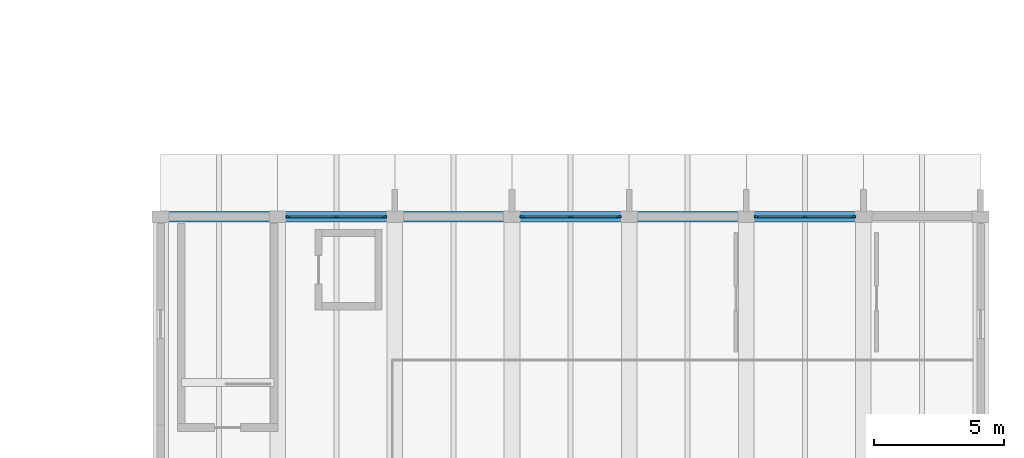
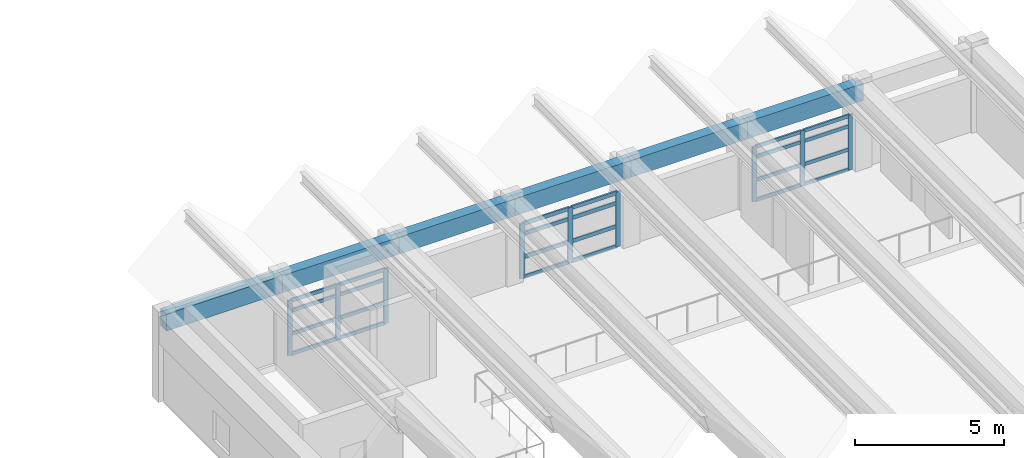
# One storey, part 15 of 83: 33 members, 6 beams, 3 elements without a shape of their own.
"""IFC4 building model written with IfcOpenShell, lengths in metres."""

import ifcopenshell
import ifcopenshell.guid

model = None  # the IFC model being written
_history = None  # IfcOwnerHistory: only IFC2X3 demands one
_inside = {}  # id of a spatial element -> (the spatial element, [elements in it])
_under = {}  # id of a project, library or spatial element -> (it, [spatial elements below it])
_declared = {}  # id of a project -> (the project, [libraries it declares])
_typed = {}  # id of a type object -> (the type object, [elements of that type])
_made_of = {}  # id of a material, layer set ... -> (it, [elements and type objects made of it])


def new_model(schema):
    """Start an empty IFC model of exactly this schema.

    Asked for "IFC4X3", IfcOpenShell would pick the latest addendum, in which some entities
    have other attributes; the version numbers below select the first issue.
    IFC2X3 requires an IfcOwnerHistory on every rooted entity: one is made here for all.
    """
    global model, _history
    if schema == "IFC4X3":
        model = ifcopenshell.file(schema_version=(4, 3, 0, 0))
    else:
        model = ifcopenshell.file(schema=schema)
    _inside.clear()
    _under.clear()
    _declared.clear()
    _typed.clear()
    _made_of.clear()
    _history = None
    if model.schema == "IFC2X3":
        org = make("IfcOrganization", Name="unknown")
        user = make(
            "IfcPersonAndOrganization",
            ThePerson=make("IfcPerson", FamilyName="unknown"),
            TheOrganization=org,
        )
        app = make(
            "IfcApplication",
            ApplicationDeveloper=org,
            Version="unknown",
            ApplicationFullName="unknown",
            ApplicationIdentifier="unknown",
        )
        _history = make(
            "IfcOwnerHistory",
            OwningUser=user,
            OwningApplication=app,
            ChangeAction="ADDED",
            CreationDate=0,
        )
    return model


def make(cls, **values):
    """One entity of the class cls with the attributes given. An attribute that is None is left unset."""
    return model.create_entity(
        cls, **{name: value for name, value in values.items() if value is not None}
    )


def rooted(cls, **values):
    """An entity with a GlobalId (a new one), such as an element, a storey or a relation."""
    return make(cls, GlobalId=ifcopenshell.guid.new(), OwnerHistory=_history, **values)


def si_unit(unit_type, name, prefix=None):
    """IfcSIUnit, for example si_unit("LENGTHUNIT", "METRE", prefix="MILLI")."""
    return make("IfcSIUnit", UnitType=unit_type, Prefix=prefix, Name=name)


def assignment(units):
    """IfcUnitAssignment: the units of a project."""
    return None if units is None else make("IfcUnitAssignment", Units=units)


def point(xyz):
    """IfcCartesianPoint."""
    return None if xyz is None else make("IfcCartesianPoint", Coordinates=xyz)


def direction(xyz):
    """IfcDirection."""
    return None if xyz is None else make("IfcDirection", DirectionRatios=xyz)


def frame(location, z_axis=None, x_axis=None):
    """IfcAxis2Placement3D, a coordinate frame: its origin and axes. An axis left out is left unset."""
    return make(
        "IfcAxis2Placement3D",
        Location=point(location),
        Axis=direction(z_axis),
        RefDirection=direction(x_axis),
    )


def frame_2d(location, x_axis=None):
    """IfcAxis2Placement2D, a coordinate frame in the plane: its origin and x axis."""
    return make(
        "IfcAxis2Placement2D", Location=point(location), RefDirection=direction(x_axis)
    )


def origin():
    """The frame at (0, 0, 0) with its axes left unset."""
    return frame((0.0, 0.0, 0.0))


def origin_2d():
    """The frame at (0, 0) in the plane with its x axis left unset."""
    return frame_2d((0.0, 0.0))


def place(relative_to, where):
    """IfcLocalPlacement: puts the frame where relative to a parent placement (None: the world)."""
    return make(
        "IfcLocalPlacement", PlacementRelTo=relative_to, RelativePlacement=where
    )


def context(
    kind, dimensions, precision=None, world=None, true_north=None, identifier=None
):
    """IfcGeometricRepresentationContext, for example the 3D "Model" context."""
    return make(
        "IfcGeometricRepresentationContext",
        ContextIdentifier=identifier,
        ContextType=kind,
        CoordinateSpaceDimension=dimensions,
        Precision=precision,
        WorldCoordinateSystem=world,
        TrueNorth=true_north,
    )


def subcontext(parent, identifier, kind, view, scale=None):
    """IfcGeometricRepresentationSubContext, for example "Body" below "Model"."""
    return make(
        "IfcGeometricRepresentationSubContext",
        ContextIdentifier=identifier,
        ContextType=kind,
        ParentContext=parent,
        TargetScale=scale,
        TargetView=view,
    )


def project(units=None, contexts=None):
    """IfcProject with its units and contexts."""
    return rooted(
        "IfcProject",
        Name="project",
        RepresentationContexts=contexts,
        UnitsInContext=assignment(units),
    )


def spatial(cls, under=None, at=None, **own):
    """A site, building, storey or space (cls), placed at a placement, below another one or the project."""
    s = rooted(cls, ObjectPlacement=at, **own)
    if under is not None:
        _under.setdefault(under.id(), (under, []))[1].append(s)
    return s


def profile(cls, at=None, kind="AREA", **sizes):
    """A parametric profile (cls). Its sizes go by their IFC names, for example OverallWidth=200.0."""
    return make(cls, ProfileType=kind, Position=at, **sizes)


def rectangle(**sizes):
    """IfcRectangleProfileDef."""
    return profile("IfcRectangleProfileDef", **sizes)


def extrude(swept, where, along, depth):
    """IfcExtrudedAreaSolid: the profile swept, set in the frame where, extruded along a direction by depth."""
    return make(
        "IfcExtrudedAreaSolid",
        SweptArea=swept,
        Position=where,
        ExtrudedDirection=direction(along),
        Depth=depth,
    )


def shape(context_of_items, identifier, shape_type, items):
    """IfcShapeRepresentation: the items that make up one representation, for example the "Body"."""
    return make(
        "IfcShapeRepresentation",
        ContextOfItems=context_of_items,
        RepresentationIdentifier=identifier,
        RepresentationType=shape_type,
        Items=items,
    )


def material(Name=None, Category=None):
    """IfcMaterial."""
    return make("IfcMaterial", Name=Name, Category=Category)


def material_profile(
    of_material, cross_section, Name=None, Category=None, Priority=None
):
    """IfcMaterialProfile: a cross section and its material."""
    return make(
        "IfcMaterialProfile",
        Name=Name,
        Material=of_material,
        Profile=cross_section,
        Priority=Priority,
        Category=Category,
    )


def profile_set(profiles, Name=None, composite=None):
    """IfcMaterialProfileSet."""
    return make(
        "IfcMaterialProfileSet",
        Name=Name,
        MaterialProfiles=profiles,
        CompositeProfile=composite,
    )


def made_of(thing, what):
    """Note that an element or type object is made of a material, layer set ...; save() writes the relation."""
    if what is not None:
        _made_of.setdefault(what.id(), (what, []))[1].append(thing)
    return thing


def type_object(cls, material=None, **own):
    """A type object (cls), such as IfcWallType, which elements share."""
    return made_of(rooted(cls, **own), material)


def element(
    cls,
    number,
    at=None,
    inside=None,
    cuts=None,
    type_object=None,
    material=None,
    context=None,
    identifier="Body",
    shape_type=None,
    held_by="IfcProductDefinitionShape",
    body=None,
    shapes=None,
    **own,
):
    """One element of the class cls, such as IfcWall. Its Tag is "e" and its number.

    at: its placement. inside: the storey or other place that contains it. cuts: it is an
    opening in that element (IfcRelVoidsElement). A single representation is given by context,
    identifier, shape_type and body (its items); several are given by shapes. held_by: the class
    of the entity that holds the representations. save() writes the other relations.
    """
    e = rooted(cls, Tag="e%d" % number, ObjectPlacement=at, **own)
    if body is not None:
        shapes = [shape(context, identifier, shape_type, body)]
    if shapes is not None:
        e.Representation = make(held_by, Representations=shapes)
    if inside is not None:
        _inside.setdefault(inside.id(), (inside, []))[1].append(e)
    if cuts is not None:
        rooted(
            "IfcRelVoidsElement", RelatingBuildingElement=cuts, RelatedOpeningElement=e
        )
    if type_object is not None:
        _typed.setdefault(type_object.id(), (type_object, []))[1].append(e)
    return made_of(e, material)


def aggregate(whole, parts):
    """IfcRelAggregates: a whole, such as a stair, and the parts it consists of."""
    return rooted("IfcRelAggregates", RelatingObject=whole, RelatedObjects=parts)


def save(model, path):
    """Write the relations noted so far, then the file.

    IfcRelAggregates (storeys below a building ...), IfcRelContainedInSpatialStructure (elements
    in a storey), IfcRelDefinesByType, IfcRelAssociatesMaterial and IfcRelDeclares: one each for
    every whole, place, type object, material and project.
    """
    for whole, parts in _under.values():
        aggregate(whole, parts)
    for where, things in _inside.values():
        rooted(
            "IfcRelContainedInSpatialStructure",
            RelatedElements=things,
            RelatingStructure=where,
        )
    for kind, things in _typed.values():
        rooted("IfcRelDefinesByType", RelatedObjects=things, RelatingType=kind)
    for what, things in _made_of.values():
        rooted("IfcRelAssociatesMaterial", RelatedObjects=things, RelatingMaterial=what)
    for by, libraries in _declared.values():
        rooted("IfcRelDeclares", RelatingContext=by, RelatedDefinitions=libraries)
    model.write(path)


model = new_model("IFC4")

# Units and contexts
model_context = context("Model", 3, precision=1e-05, world=origin(), true_north=direction((0.0, 1.0)))
body_context = subcontext(model_context, "Body", "Model", "MODEL_VIEW")
ifc_project = project(units=[si_unit("LENGTHUNIT", "METRE"), si_unit("AREAUNIT", "SQUARE_METRE"), si_unit("VOLUMEUNIT", "CUBIC_METRE"), si_unit("PLANEANGLEUNIT", "RADIAN"), si_unit("MASSUNIT", "GRAM", prefix="KILO")], contexts=[model_context])

# Site, building, storey
site_placement = place(None, origin())
site = spatial("IfcSite", under=ifc_project, at=site_placement, CompositionType="ELEMENT")
building_placement = place(site_placement, origin())
building = spatial("IfcBuilding", under=site, at=building_placement, Name="Zimvara Arc Housing Community", CompositionType="ELEMENT")
storey_placement = place(building_placement, frame((0.0, 0.0, 4.5)))
storey = spatial("IfcBuildingStorey", under=building, at=storey_placement, Name="L01", CompositionType="ELEMENT", Elevation=4.5)

# Beams
ifc_material_1 = material(Name="Concrete C40/50", Category="concrete")
ifc_material_profile_1 = material_profile(ifc_material_1, rectangle(XDim=0.39990234375, YDim=0.699951171875, at=origin_2d()), Name="RC 400x700")
ifc_profile_set_1 = profile_set([ifc_material_profile_1], Name="Concrete C40/50")
beam_type = type_object("IfcBeamType", Name="BM-RC-400x700", PredefinedType="BEAM", material=ifc_profile_set_1)
for number, where, z_axis, x_axis, name in (
    (1, (68.0, 27.60009765625, 3.14990234375), (1.0, 0.0, 0.0), (0.0, 1.0, 0.0), "bm:hall:L01:eave:y1:b0"),
    (2, (72.5, 27.60009765625, 3.14990234375), (1.0, 0.0, 0.0), (0.0, 1.0, 0.0), "bm:hall:L01:eave:y1:b1"),
    (3, (77.0, 27.60009765625, 3.14990234375), (1.0, 0.0, 0.0), (0.0, 1.0, 0.0), "bm:hall:L01:eave:y1:b2"),
    (4, (81.5, 27.60009765625, 3.14990234375), (1.0, 0.0, 0.0), (0.0, 1.0, 0.0), "bm:hall:L01:eave:y1:b3"),
    (5, (86.0, 27.60009765625, 3.14990234375), (1.0, 0.0, 0.0), (0.0, 1.0, 0.0), "bm:hall:L01:eave:y1:b4"),
    (6, (90.5, 27.60009765625, 3.14990234375), (1.0, 0.0, 0.0), (0.0, 1.0, 0.0), "bm:hall:L01:eave:y1:b5"),
):
    element("IfcBeam", number, at=place(storey_placement, frame(where, z_axis=z_axis, x_axis=x_axis)), inside=storey, type_object=beam_type, Name=name, PredefinedType="BEAM", context=body_context, shape_type="SweptSolid", body=[
        extrude(rectangle(XDim=0.39990234375, YDim=0.699951171875, at=origin_2d()), origin(), (0.0, 0.0, 1.0), 4.5),
    ])

# Curtain wall, members
ifc_material_2 = material(Name="Anodised Aluminium AW-6063", Category="aluminium")
curtain_wall_type_1 = type_object("IfcCurtainWallType", Name="CW-SYS-06", PredefinedType="USERDEFINED", material=ifc_material_2)
curtain_wall_1_placement = place(storey_placement, origin())
curtain_wall_1 = element("IfcCurtainWall", 7, at=curtain_wall_1_placement, inside=storey, type_object=curtain_wall_type_1, Name="cw:hall:L01:north:b1", ObjectType="CURTAIN WALL", PredefinedType="USERDEFINED")
ifc_material_3 = material(Name="Anodised Aluminium AW-6063", Category="aluminium")
ifc_material_profile_2 = material_profile(ifc_material_3, rectangle(XDim=0.06494140625, YDim=0.179931640625, at=origin_2d()), Name="ALU 65x180")
ifc_profile_set_2 = profile_set([ifc_material_profile_2], Name="Anodised Aluminium AW-6063")
member_type_1 = type_object("IfcMemberType", Name="CWM-65x150", PredefinedType="MULLION", material=ifc_profile_set_2)
member_1_placement = place(storey_placement, frame((72.892578125, 27.60009765625, 0.0), z_axis=(0.0, 0.0, 1.0), x_axis=(0.0, 1.0, 0.0)))
member_1 = element("IfcMember", 8, at=member_1_placement, type_object=member_type_1, Name="CW06 mullion 1", PredefinedType="MULLION", context=body_context, shape_type="SweptSolid", body=[
    extrude(rectangle(XDim=0.06494140625, YDim=0.179931640625, at=origin_2d()), origin(), (0.0, 0.0, 1.0), 2.25),
])
member_2_placement = place(storey_placement, frame((74.75, 27.60009765625, 0.0), z_axis=(0.0, 0.0, 1.0), x_axis=(0.0, 1.0, 0.0)))
member_2 = element("IfcMember", 9, at=member_2_placement, type_object=member_type_1, Name="CW06 mullion 2", PredefinedType="MULLION", context=body_context, shape_type="SweptSolid", body=[
    extrude(rectangle(XDim=0.06494140625, YDim=0.179931640625, at=origin_2d()), origin(), (0.0, 0.0, 1.0), 2.25),
])
member_3_placement = place(storey_placement, frame((76.607421875, 27.60009765625, 0.0), z_axis=(0.0, 0.0, 1.0), x_axis=(0.0, 1.0, 0.0)))
member_3 = element("IfcMember", 10, at=member_3_placement, type_object=member_type_1, Name="CW06 mullion 3", PredefinedType="MULLION", context=body_context, shape_type="SweptSolid", body=[
    extrude(rectangle(XDim=0.06494140625, YDim=0.179931640625, at=origin_2d()), origin(), (0.0, 0.0, 1.0), 2.25),
])

ifc_material_4 = material(Name="Anodised Aluminium AW-6063", Category="aluminium")
curtain_wall_type_2 = type_object("IfcCurtainWallType", Name="CW-SYS-08", PredefinedType="USERDEFINED", material=ifc_material_4)
curtain_wall_2_placement = place(storey_placement, origin())
curtain_wall_2 = element("IfcCurtainWall", 11, at=curtain_wall_2_placement, inside=storey, type_object=curtain_wall_type_2, Name="cw:hall:L01:north:b5", ObjectType="CURTAIN WALL", PredefinedType="USERDEFINED")
member_4_placement = place(storey_placement, frame((90.892578125, 27.60009765625, 0.0), z_axis=(0.0, 0.0, 1.0), x_axis=(0.0, 1.0, 0.0)))
member_4 = element("IfcMember", 12, at=member_4_placement, type_object=member_type_1, Name="CW08 mullion 1", PredefinedType="MULLION", context=body_context, shape_type="SweptSolid", body=[
    extrude(rectangle(XDim=0.06494140625, YDim=0.179931640625, at=origin_2d()), origin(), (0.0, 0.0, 1.0), 2.25),
])
member_5_placement = place(storey_placement, frame((92.75, 27.60009765625, 0.0), z_axis=(0.0, 0.0, 1.0), x_axis=(0.0, 1.0, 0.0)))
member_5 = element("IfcMember", 13, at=member_5_placement, type_object=member_type_1, Name="CW08 mullion 2", PredefinedType="MULLION", context=body_context, shape_type="SweptSolid", body=[
    extrude(rectangle(XDim=0.06494140625, YDim=0.179931640625, at=origin_2d()), origin(), (0.0, 0.0, 1.0), 2.25),
])
member_6_placement = place(storey_placement, frame((94.607421875, 27.60009765625, 0.0), z_axis=(0.0, 0.0, 1.0), x_axis=(0.0, 1.0, 0.0)))
member_6 = element("IfcMember", 14, at=member_6_placement, type_object=member_type_1, Name="CW08 mullion 3", PredefinedType="MULLION", context=body_context, shape_type="SweptSolid", body=[
    extrude(rectangle(XDim=0.06494140625, YDim=0.179931640625, at=origin_2d()), origin(), (0.0, 0.0, 1.0), 2.25),
])

ifc_material_5 = material(Name="Anodised Aluminium AW-6063", Category="aluminium")
curtain_wall_type_3 = type_object("IfcCurtainWallType", Name="CW-SYS-07", PredefinedType="USERDEFINED", material=ifc_material_5)
curtain_wall_3_placement = place(storey_placement, origin())
curtain_wall_3 = element("IfcCurtainWall", 15, at=curtain_wall_3_placement, inside=storey, type_object=curtain_wall_type_3, Name="cw:hall:L01:north:b3", ObjectType="CURTAIN WALL", PredefinedType="USERDEFINED")
ifc_material_6 = material(Name="Anodised Aluminium AW-6063", Category="aluminium")
ifc_material_profile_3 = material_profile(ifc_material_6, rectangle(XDim=0.06494140625, YDim=0.195068359375, at=origin_2d()), Name="ALU 65x195")
ifc_profile_set_3 = profile_set([ifc_material_profile_3], Name="Anodised Aluminium AW-6063")
member_type_2 = type_object("IfcMemberType", Name="CWM-65x180", PredefinedType="MULLION", material=ifc_profile_set_3)
member_7_placement = place(storey_placement, frame((81.892578125, 27.60009765625, 0.0), z_axis=(0.0, 0.0, 1.0), x_axis=(0.0, 1.0, 0.0)))
member_7 = element("IfcMember", 16, at=member_7_placement, type_object=member_type_2, Name="CW07 mullion 1", PredefinedType="MULLION", context=body_context, shape_type="SweptSolid", body=[
    extrude(rectangle(XDim=0.06494140625, YDim=0.195068359375, at=origin_2d()), origin(), (0.0, 0.0, 1.0), 2.25),
])
member_8_placement = place(storey_placement, frame((83.75, 27.60009765625, 0.0), z_axis=(0.0, 0.0, 1.0), x_axis=(0.0, 1.0, 0.0)))
member_8 = element("IfcMember", 17, at=member_8_placement, type_object=member_type_2, Name="CW07 mullion 2", PredefinedType="MULLION", context=body_context, shape_type="SweptSolid", body=[
    extrude(rectangle(XDim=0.06494140625, YDim=0.195068359375, at=origin_2d()), origin(), (0.0, 0.0, 1.0), 2.25),
])
member_9_placement = place(storey_placement, frame((85.607421875, 27.60009765625, 0.0), z_axis=(0.0, 0.0, 1.0), x_axis=(0.0, 1.0, 0.0)))
member_9 = element("IfcMember", 18, at=member_9_placement, type_object=member_type_2, Name="CW07 mullion 3", PredefinedType="MULLION", context=body_context, shape_type="SweptSolid", body=[
    extrude(rectangle(XDim=0.06494140625, YDim=0.195068359375, at=origin_2d()), origin(), (0.0, 0.0, 1.0), 2.25),
])

# Member
ifc_material_7 = material(Name="Anodised Aluminium AW-6063", Category="aluminium")
ifc_material_profile_4 = material_profile(ifc_material_7, rectangle(XDim=0.06494140625, YDim=0.139892578125, at=origin_2d()), Name="ALU 65x140")
ifc_profile_set_4 = profile_set([ifc_material_profile_4], Name="Anodised Aluminium AW-6063")
member_type_3 = type_object("IfcMemberType", Name="CWT-65x120", PredefinedType="USERDEFINED", material=ifc_profile_set_4)
member_10_placement = place(storey_placement, frame((72.925048828125, 27.60009765625, 0.032470703125), z_axis=(1.0, 0.0, 0.0), x_axis=(0.0, 1.0, 0.0)))
member_10 = element("IfcMember", 19, at=member_10_placement, type_object=member_type_3, Name="CW06 transom 1.1", ObjectType="TRANSOM", PredefinedType="USERDEFINED", context=body_context, shape_type="SweptSolid", body=[
    extrude(rectangle(XDim=0.06494140625, YDim=0.139892578125, at=origin_2d()), origin(), (0.0, 0.0, 1.0), 1.79248046875),
])

member_11_placement = place(storey_placement, frame((72.925048828125, 27.60009765625, 0.85009765625), z_axis=(1.0, 0.0, 0.0), x_axis=(0.0, 1.0, 0.0)))
member_11 = element("IfcMember", 20, at=member_11_placement, type_object=member_type_3, Name="CW06 transom 1.2", ObjectType="TRANSOM", PredefinedType="USERDEFINED", context=body_context, shape_type="SweptSolid", body=[
    extrude(rectangle(XDim=0.06494140625, YDim=0.139892578125, at=origin_2d()), origin(), (0.0, 0.0, 1.0), 1.79248046875),
])

member_12_placement = place(storey_placement, frame((72.925048828125, 27.60009765625, 1.800048828125), z_axis=(1.0, 0.0, 0.0), x_axis=(0.0, 1.0, 0.0)))
member_12 = element("IfcMember", 21, at=member_12_placement, type_object=member_type_3, Name="CW06 transom 1.3", ObjectType="TRANSOM", PredefinedType="USERDEFINED", context=body_context, shape_type="SweptSolid", body=[
    extrude(rectangle(XDim=0.06494140625, YDim=0.139892578125, at=origin_2d()), origin(), (0.0, 0.0, 1.0), 1.79248046875),
])

member_13_placement = place(storey_placement, frame((72.925048828125, 27.60009765625, 2.217529296875), z_axis=(1.0, 0.0, 0.0), x_axis=(0.0, 1.0, 0.0)))
member_13 = element("IfcMember", 22, at=member_13_placement, type_object=member_type_3, Name="CW06 transom 1.4", ObjectType="TRANSOM", PredefinedType="USERDEFINED", context=body_context, shape_type="SweptSolid", body=[
    extrude(rectangle(XDim=0.06494140625, YDim=0.139892578125, at=origin_2d()), origin(), (0.0, 0.0, 1.0), 1.79248046875),
])

member_14_placement = place(storey_placement, frame((74.782470703125, 27.60009765625, 0.032470703125), z_axis=(1.0, 0.0, 0.0), x_axis=(0.0, 1.0, 0.0)))
member_14 = element("IfcMember", 23, at=member_14_placement, type_object=member_type_3, Name="CW06 transom 2.1", ObjectType="TRANSOM", PredefinedType="USERDEFINED", context=body_context, shape_type="SweptSolid", body=[
    extrude(rectangle(XDim=0.06494140625, YDim=0.139892578125, at=origin_2d()), origin(), (0.0, 0.0, 1.0), 1.79248046875),
])

member_15_placement = place(storey_placement, frame((74.782470703125, 27.60009765625, 0.85009765625), z_axis=(1.0, 0.0, 0.0), x_axis=(0.0, 1.0, 0.0)))
member_15 = element("IfcMember", 24, at=member_15_placement, type_object=member_type_3, Name="CW06 transom 2.2", ObjectType="TRANSOM", PredefinedType="USERDEFINED", context=body_context, shape_type="SweptSolid", body=[
    extrude(rectangle(XDim=0.06494140625, YDim=0.139892578125, at=origin_2d()), origin(), (0.0, 0.0, 1.0), 1.79248046875),
])

member_16_placement = place(storey_placement, frame((74.782470703125, 27.60009765625, 1.800048828125), z_axis=(1.0, 0.0, 0.0), x_axis=(0.0, 1.0, 0.0)))
member_16 = element("IfcMember", 25, at=member_16_placement, type_object=member_type_3, Name="CW06 transom 2.3", ObjectType="TRANSOM", PredefinedType="USERDEFINED", context=body_context, shape_type="SweptSolid", body=[
    extrude(rectangle(XDim=0.06494140625, YDim=0.139892578125, at=origin_2d()), origin(), (0.0, 0.0, 1.0), 1.79248046875),
])

member_17_placement = place(storey_placement, frame((74.782470703125, 27.60009765625, 2.217529296875), z_axis=(1.0, 0.0, 0.0), x_axis=(0.0, 1.0, 0.0)))
member_17 = element("IfcMember", 26, at=member_17_placement, type_object=member_type_3, Name="CW06 transom 2.4", ObjectType="TRANSOM", PredefinedType="USERDEFINED", context=body_context, shape_type="SweptSolid", body=[
    extrude(rectangle(XDim=0.06494140625, YDim=0.139892578125, at=origin_2d()), origin(), (0.0, 0.0, 1.0), 1.79248046875),
])

aggregate(curtain_wall_1, [member_1, member_2, member_3, member_10, member_11, member_12, member_13, member_14, member_15, member_16, member_17])

member_18_placement = place(storey_placement, frame((90.925048828125, 27.60009765625, 0.032470703125), z_axis=(1.0, 0.0, 0.0), x_axis=(0.0, 1.0, 0.0)))
member_18 = element("IfcMember", 27, at=member_18_placement, type_object=member_type_3, Name="CW08 transom 1.1", ObjectType="TRANSOM", PredefinedType="USERDEFINED", context=body_context, shape_type="SweptSolid", body=[
    extrude(rectangle(XDim=0.06494140625, YDim=0.139892578125, at=origin_2d()), origin(), (0.0, 0.0, 1.0), 1.79248046875),
])

member_19_placement = place(storey_placement, frame((90.925048828125, 27.60009765625, 0.85009765625), z_axis=(1.0, 0.0, 0.0), x_axis=(0.0, 1.0, 0.0)))
member_19 = element("IfcMember", 28, at=member_19_placement, type_object=member_type_3, Name="CW08 transom 1.2", ObjectType="TRANSOM", PredefinedType="USERDEFINED", context=body_context, shape_type="SweptSolid", body=[
    extrude(rectangle(XDim=0.06494140625, YDim=0.139892578125, at=origin_2d()), origin(), (0.0, 0.0, 1.0), 1.79248046875),
])

member_20_placement = place(storey_placement, frame((90.925048828125, 27.60009765625, 1.800048828125), z_axis=(1.0, 0.0, 0.0), x_axis=(0.0, 1.0, 0.0)))
member_20 = element("IfcMember", 29, at=member_20_placement, type_object=member_type_3, Name="CW08 transom 1.3", ObjectType="TRANSOM", PredefinedType="USERDEFINED", context=body_context, shape_type="SweptSolid", body=[
    extrude(rectangle(XDim=0.06494140625, YDim=0.139892578125, at=origin_2d()), origin(), (0.0, 0.0, 1.0), 1.79248046875),
])

member_21_placement = place(storey_placement, frame((90.925048828125, 27.60009765625, 2.217529296875), z_axis=(1.0, 0.0, 0.0), x_axis=(0.0, 1.0, 0.0)))
member_21 = element("IfcMember", 30, at=member_21_placement, type_object=member_type_3, Name="CW08 transom 1.4", ObjectType="TRANSOM", PredefinedType="USERDEFINED", context=body_context, shape_type="SweptSolid", body=[
    extrude(rectangle(XDim=0.06494140625, YDim=0.139892578125, at=origin_2d()), origin(), (0.0, 0.0, 1.0), 1.79248046875),
])

member_22_placement = place(storey_placement, frame((92.782470703125, 27.60009765625, 0.032470703125), z_axis=(1.0, 0.0, 0.0), x_axis=(0.0, 1.0, 0.0)))
member_22 = element("IfcMember", 31, at=member_22_placement, type_object=member_type_3, Name="CW08 transom 2.1", ObjectType="TRANSOM", PredefinedType="USERDEFINED", context=body_context, shape_type="SweptSolid", body=[
    extrude(rectangle(XDim=0.06494140625, YDim=0.139892578125, at=origin_2d()), origin(), (0.0, 0.0, 1.0), 1.79248046875),
])

member_23_placement = place(storey_placement, frame((92.782470703125, 27.60009765625, 0.85009765625), z_axis=(1.0, 0.0, 0.0), x_axis=(0.0, 1.0, 0.0)))
member_23 = element("IfcMember", 32, at=member_23_placement, type_object=member_type_3, Name="CW08 transom 2.2", ObjectType="TRANSOM", PredefinedType="USERDEFINED", context=body_context, shape_type="SweptSolid", body=[
    extrude(rectangle(XDim=0.06494140625, YDim=0.139892578125, at=origin_2d()), origin(), (0.0, 0.0, 1.0), 1.79248046875),
])

member_24_placement = place(storey_placement, frame((92.782470703125, 27.60009765625, 1.800048828125), z_axis=(1.0, 0.0, 0.0), x_axis=(0.0, 1.0, 0.0)))
member_24 = element("IfcMember", 33, at=member_24_placement, type_object=member_type_3, Name="CW08 transom 2.3", ObjectType="TRANSOM", PredefinedType="USERDEFINED", context=body_context, shape_type="SweptSolid", body=[
    extrude(rectangle(XDim=0.06494140625, YDim=0.139892578125, at=origin_2d()), origin(), (0.0, 0.0, 1.0), 1.79248046875),
])

member_25_placement = place(storey_placement, frame((92.782470703125, 27.60009765625, 2.217529296875), z_axis=(1.0, 0.0, 0.0), x_axis=(0.0, 1.0, 0.0)))
member_25 = element("IfcMember", 34, at=member_25_placement, type_object=member_type_3, Name="CW08 transom 2.4", ObjectType="TRANSOM", PredefinedType="USERDEFINED", context=body_context, shape_type="SweptSolid", body=[
    extrude(rectangle(XDim=0.06494140625, YDim=0.139892578125, at=origin_2d()), origin(), (0.0, 0.0, 1.0), 1.79248046875),
])

aggregate(curtain_wall_2, [member_4, member_5, member_6, member_18, member_19, member_20, member_21, member_22, member_23, member_24, member_25])

ifc_material_8 = material(Name="Anodised Aluminium AW-6063", Category="aluminium")
ifc_material_profile_5 = material_profile(ifc_material_8, rectangle(XDim=0.06494140625, YDim=0.155029296875, at=origin_2d()), Name="ALU 65x155")
ifc_profile_set_5 = profile_set([ifc_material_profile_5], Name="Anodised Aluminium AW-6063")
member_type_4 = type_object("IfcMemberType", Name="CWT-65x140", PredefinedType="USERDEFINED", material=ifc_profile_set_5)
member_26_placement = place(storey_placement, frame((81.925048828125, 27.60009765625, 0.032470703125), z_axis=(1.0, 0.0, 0.0), x_axis=(0.0, 1.0, 0.0)))
member_26 = element("IfcMember", 35, at=member_26_placement, type_object=member_type_4, Name="CW07 transom 1.1", ObjectType="TRANSOM", PredefinedType="USERDEFINED", context=body_context, shape_type="SweptSolid", body=[
    extrude(rectangle(XDim=0.06494140625, YDim=0.155029296875, at=origin_2d()), origin(), (0.0, 0.0, 1.0), 1.79248046875),
])

member_27_placement = place(storey_placement, frame((81.925048828125, 27.60009765625, 0.85009765625), z_axis=(1.0, 0.0, 0.0), x_axis=(0.0, 1.0, 0.0)))
member_27 = element("IfcMember", 36, at=member_27_placement, type_object=member_type_4, Name="CW07 transom 1.2", ObjectType="TRANSOM", PredefinedType="USERDEFINED", context=body_context, shape_type="SweptSolid", body=[
    extrude(rectangle(XDim=0.06494140625, YDim=0.155029296875, at=origin_2d()), origin(), (0.0, 0.0, 1.0), 1.79248046875),
])

member_28_placement = place(storey_placement, frame((81.925048828125, 27.60009765625, 1.800048828125), z_axis=(1.0, 0.0, 0.0), x_axis=(0.0, 1.0, 0.0)))
member_28 = element("IfcMember", 37, at=member_28_placement, type_object=member_type_4, Name="CW07 transom 1.3", ObjectType="TRANSOM", PredefinedType="USERDEFINED", context=body_context, shape_type="SweptSolid", body=[
    extrude(rectangle(XDim=0.06494140625, YDim=0.155029296875, at=origin_2d()), origin(), (0.0, 0.0, 1.0), 1.79248046875),
])

member_29_placement = place(storey_placement, frame((81.925048828125, 27.60009765625, 2.217529296875), z_axis=(1.0, 0.0, 0.0), x_axis=(0.0, 1.0, 0.0)))
member_29 = element("IfcMember", 38, at=member_29_placement, type_object=member_type_4, Name="CW07 transom 1.4", ObjectType="TRANSOM", PredefinedType="USERDEFINED", context=body_context, shape_type="SweptSolid", body=[
    extrude(rectangle(XDim=0.06494140625, YDim=0.155029296875, at=origin_2d()), origin(), (0.0, 0.0, 1.0), 1.79248046875),
])

member_30_placement = place(storey_placement, frame((83.782470703125, 27.60009765625, 0.032470703125), z_axis=(1.0, 0.0, 0.0), x_axis=(0.0, 1.0, 0.0)))
member_30 = element("IfcMember", 39, at=member_30_placement, type_object=member_type_4, Name="CW07 transom 2.1", ObjectType="TRANSOM", PredefinedType="USERDEFINED", context=body_context, shape_type="SweptSolid", body=[
    extrude(rectangle(XDim=0.06494140625, YDim=0.155029296875, at=origin_2d()), origin(), (0.0, 0.0, 1.0), 1.79248046875),
])

member_31_placement = place(storey_placement, frame((83.782470703125, 27.60009765625, 0.85009765625), z_axis=(1.0, 0.0, 0.0), x_axis=(0.0, 1.0, 0.0)))
member_31 = element("IfcMember", 40, at=member_31_placement, type_object=member_type_4, Name="CW07 transom 2.2", ObjectType="TRANSOM", PredefinedType="USERDEFINED", context=body_context, shape_type="SweptSolid", body=[
    extrude(rectangle(XDim=0.06494140625, YDim=0.155029296875, at=origin_2d()), origin(), (0.0, 0.0, 1.0), 1.79248046875),
])

member_32_placement = place(storey_placement, frame((83.782470703125, 27.60009765625, 1.800048828125), z_axis=(1.0, 0.0, 0.0), x_axis=(0.0, 1.0, 0.0)))
member_32 = element("IfcMember", 41, at=member_32_placement, type_object=member_type_4, Name="CW07 transom 2.3", ObjectType="TRANSOM", PredefinedType="USERDEFINED", context=body_context, shape_type="SweptSolid", body=[
    extrude(rectangle(XDim=0.06494140625, YDim=0.155029296875, at=origin_2d()), origin(), (0.0, 0.0, 1.0), 1.79248046875),
])

member_33_placement = place(storey_placement, frame((83.782470703125, 27.60009765625, 2.217529296875), z_axis=(1.0, 0.0, 0.0), x_axis=(0.0, 1.0, 0.0)))
member_33 = element("IfcMember", 42, at=member_33_placement, type_object=member_type_4, Name="CW07 transom 2.4", ObjectType="TRANSOM", PredefinedType="USERDEFINED", context=body_context, shape_type="SweptSolid", body=[
    extrude(rectangle(XDim=0.06494140625, YDim=0.155029296875, at=origin_2d()), origin(), (0.0, 0.0, 1.0), 1.79248046875),
])

aggregate(curtain_wall_3, [member_7, member_8, member_9, member_26, member_27, member_28, member_29, member_30, member_31, member_32, member_33])

save(model, "model.ifc")
